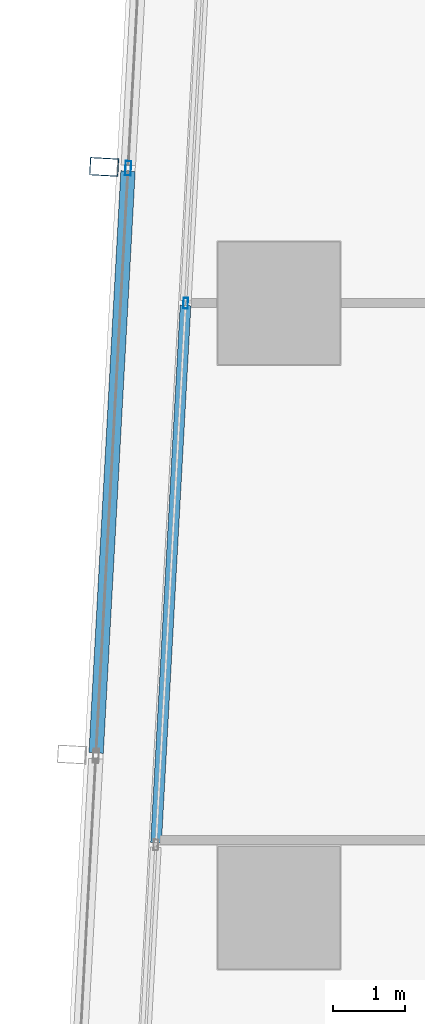
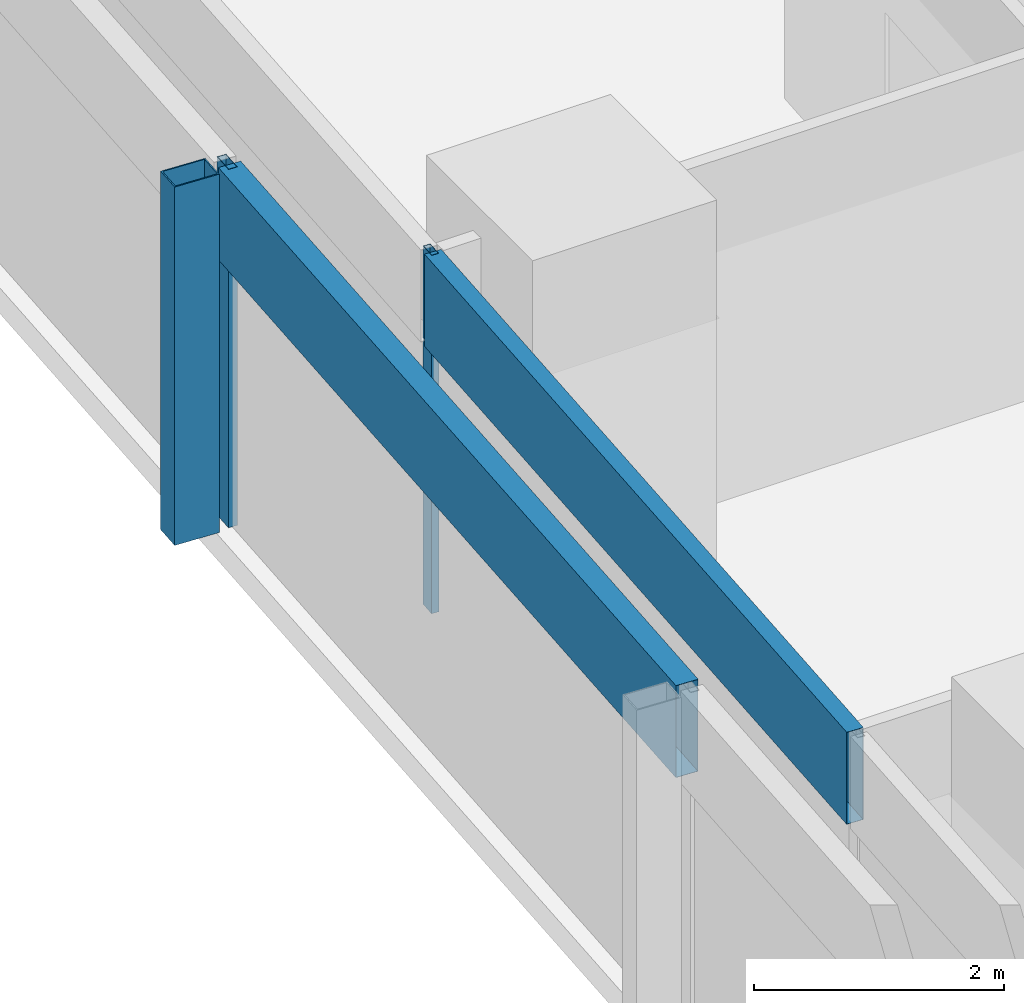
# One storey, part 14 of 40: 5 members, 2 elements without a shape of their own.
"""IFC4 building model written with IfcOpenShell, lengths in metres."""

import ifcopenshell
import ifcopenshell.guid

model = None  # the IFC model being written
_history = None  # IfcOwnerHistory: only IFC2X3 demands one
_inside = {}  # id of a spatial element -> (the spatial element, [elements in it])
_under = {}  # id of a project, library or spatial element -> (it, [spatial elements below it])
_declared = {}  # id of a project -> (the project, [libraries it declares])
_typed = {}  # id of a type object -> (the type object, [elements of that type])
_made_of = {}  # id of a material, layer set ... -> (it, [elements and type objects made of it])


def new_model(schema):
    """Start an empty IFC model of exactly this schema.

    Asked for "IFC4X3", IfcOpenShell would pick the latest addendum, in which some entities
    have other attributes; the version numbers below select the first issue.
    IFC2X3 requires an IfcOwnerHistory on every rooted entity: one is made here for all.
    """
    global model, _history
    if schema == "IFC4X3":
        model = ifcopenshell.file(schema_version=(4, 3, 0, 0))
    else:
        model = ifcopenshell.file(schema=schema)
    _inside.clear()
    _under.clear()
    _declared.clear()
    _typed.clear()
    _made_of.clear()
    _history = None
    if model.schema == "IFC2X3":
        org = make("IfcOrganization", Name="unknown")
        user = make(
            "IfcPersonAndOrganization",
            ThePerson=make("IfcPerson", FamilyName="unknown"),
            TheOrganization=org,
        )
        app = make(
            "IfcApplication",
            ApplicationDeveloper=org,
            Version="unknown",
            ApplicationFullName="unknown",
            ApplicationIdentifier="unknown",
        )
        _history = make(
            "IfcOwnerHistory",
            OwningUser=user,
            OwningApplication=app,
            ChangeAction="ADDED",
            CreationDate=0,
        )
    return model


def make(cls, **values):
    """One entity of the class cls with the attributes given. An attribute that is None is left unset."""
    return model.create_entity(
        cls, **{name: value for name, value in values.items() if value is not None}
    )


def rooted(cls, **values):
    """An entity with a GlobalId (a new one), such as an element, a storey or a relation."""
    return make(cls, GlobalId=ifcopenshell.guid.new(), OwnerHistory=_history, **values)


def si_unit(unit_type, name, prefix=None):
    """IfcSIUnit, for example si_unit("LENGTHUNIT", "METRE", prefix="MILLI")."""
    return make("IfcSIUnit", UnitType=unit_type, Prefix=prefix, Name=name)


def assignment(units):
    """IfcUnitAssignment: the units of a project."""
    return None if units is None else make("IfcUnitAssignment", Units=units)


def point(xyz):
    """IfcCartesianPoint."""
    return None if xyz is None else make("IfcCartesianPoint", Coordinates=xyz)


def direction(xyz):
    """IfcDirection."""
    return None if xyz is None else make("IfcDirection", DirectionRatios=xyz)


def frame(location, z_axis=None, x_axis=None):
    """IfcAxis2Placement3D, a coordinate frame: its origin and axes. An axis left out is left unset."""
    return make(
        "IfcAxis2Placement3D",
        Location=point(location),
        Axis=direction(z_axis),
        RefDirection=direction(x_axis),
    )


def frame_2d(location, x_axis=None):
    """IfcAxis2Placement2D, a coordinate frame in the plane: its origin and x axis."""
    return make(
        "IfcAxis2Placement2D", Location=point(location), RefDirection=direction(x_axis)
    )


def origin():
    """The frame at (0, 0, 0) with its axes left unset."""
    return frame((0.0, 0.0, 0.0))


def origin_2d():
    """The frame at (0, 0) in the plane with its x axis left unset."""
    return frame_2d((0.0, 0.0))


def place(relative_to, where):
    """IfcLocalPlacement: puts the frame where relative to a parent placement (None: the world)."""
    return make(
        "IfcLocalPlacement", PlacementRelTo=relative_to, RelativePlacement=where
    )


def context(
    kind, dimensions, precision=None, world=None, true_north=None, identifier=None
):
    """IfcGeometricRepresentationContext, for example the 3D "Model" context."""
    return make(
        "IfcGeometricRepresentationContext",
        ContextIdentifier=identifier,
        ContextType=kind,
        CoordinateSpaceDimension=dimensions,
        Precision=precision,
        WorldCoordinateSystem=world,
        TrueNorth=true_north,
    )


def subcontext(parent, identifier, kind, view, scale=None):
    """IfcGeometricRepresentationSubContext, for example "Body" below "Model"."""
    return make(
        "IfcGeometricRepresentationSubContext",
        ContextIdentifier=identifier,
        ContextType=kind,
        ParentContext=parent,
        TargetScale=scale,
        TargetView=view,
    )


def project(units=None, contexts=None):
    """IfcProject with its units and contexts."""
    return rooted(
        "IfcProject",
        Name="project",
        RepresentationContexts=contexts,
        UnitsInContext=assignment(units),
    )


def spatial(cls, under=None, at=None, **own):
    """A site, building, storey or space (cls), placed at a placement, below another one or the project."""
    s = rooted(cls, ObjectPlacement=at, **own)
    if under is not None:
        _under.setdefault(under.id(), (under, []))[1].append(s)
    return s


def profile(cls, at=None, kind="AREA", **sizes):
    """A parametric profile (cls). Its sizes go by their IFC names, for example OverallWidth=200.0."""
    return make(cls, ProfileType=kind, Position=at, **sizes)


def hollow_rectangle(**sizes):
    """IfcRectangleHollowProfileDef."""
    return profile("IfcRectangleHollowProfileDef", **sizes)


def extrude(swept, where, along, depth):
    """IfcExtrudedAreaSolid: the profile swept, set in the frame where, extruded along a direction by depth."""
    return make(
        "IfcExtrudedAreaSolid",
        SweptArea=swept,
        Position=where,
        ExtrudedDirection=direction(along),
        Depth=depth,
    )


def shape(context_of_items, identifier, shape_type, items):
    """IfcShapeRepresentation: the items that make up one representation, for example the "Body"."""
    return make(
        "IfcShapeRepresentation",
        ContextOfItems=context_of_items,
        RepresentationIdentifier=identifier,
        RepresentationType=shape_type,
        Items=items,
    )


def material(Name=None, Category=None):
    """IfcMaterial."""
    return make("IfcMaterial", Name=Name, Category=Category)


def material_profile(
    of_material, cross_section, Name=None, Category=None, Priority=None
):
    """IfcMaterialProfile: a cross section and its material."""
    return make(
        "IfcMaterialProfile",
        Name=Name,
        Material=of_material,
        Profile=cross_section,
        Priority=Priority,
        Category=Category,
    )


def profile_set(profiles, Name=None, composite=None):
    """IfcMaterialProfileSet."""
    return make(
        "IfcMaterialProfileSet",
        Name=Name,
        MaterialProfiles=profiles,
        CompositeProfile=composite,
    )


def made_of(thing, what):
    """Note that an element or type object is made of a material, layer set ...; save() writes the relation."""
    if what is not None:
        _made_of.setdefault(what.id(), (what, []))[1].append(thing)
    return thing


def type_object(cls, material=None, **own):
    """A type object (cls), such as IfcWallType, which elements share."""
    return made_of(rooted(cls, **own), material)


def element(
    cls,
    number,
    at=None,
    inside=None,
    cuts=None,
    type_object=None,
    material=None,
    context=None,
    identifier="Body",
    shape_type=None,
    held_by="IfcProductDefinitionShape",
    body=None,
    shapes=None,
    **own,
):
    """One element of the class cls, such as IfcWall. Its Tag is "e" and its number.

    at: its placement. inside: the storey or other place that contains it. cuts: it is an
    opening in that element (IfcRelVoidsElement). A single representation is given by context,
    identifier, shape_type and body (its items); several are given by shapes. held_by: the class
    of the entity that holds the representations. save() writes the other relations.
    """
    e = rooted(cls, Tag="e%d" % number, ObjectPlacement=at, **own)
    if body is not None:
        shapes = [shape(context, identifier, shape_type, body)]
    if shapes is not None:
        e.Representation = make(held_by, Representations=shapes)
    if inside is not None:
        _inside.setdefault(inside.id(), (inside, []))[1].append(e)
    if cuts is not None:
        rooted(
            "IfcRelVoidsElement", RelatingBuildingElement=cuts, RelatedOpeningElement=e
        )
    if type_object is not None:
        _typed.setdefault(type_object.id(), (type_object, []))[1].append(e)
    return made_of(e, material)


def aggregate(whole, parts):
    """IfcRelAggregates: a whole, such as a stair, and the parts it consists of."""
    return rooted("IfcRelAggregates", RelatingObject=whole, RelatedObjects=parts)


def save(model, path):
    """Write the relations noted so far, then the file.

    IfcRelAggregates (storeys below a building ...), IfcRelContainedInSpatialStructure (elements
    in a storey), IfcRelDefinesByType, IfcRelAssociatesMaterial and IfcRelDeclares: one each for
    every whole, place, type object, material and project.
    """
    for whole, parts in _under.values():
        aggregate(whole, parts)
    for where, things in _inside.values():
        rooted(
            "IfcRelContainedInSpatialStructure",
            RelatedElements=things,
            RelatingStructure=where,
        )
    for kind, things in _typed.values():
        rooted("IfcRelDefinesByType", RelatedObjects=things, RelatingType=kind)
    for what, things in _made_of.values():
        rooted("IfcRelAssociatesMaterial", RelatedObjects=things, RelatingMaterial=what)
    for by, libraries in _declared.values():
        rooted("IfcRelDeclares", RelatingContext=by, RelatedDefinitions=libraries)
    model.write(path)


model = new_model("IFC4")

# Units and contexts
model_context = context("Model", 3, precision=1e-05, world=origin(), true_north=direction((0.0, 1.0)))
body_context = subcontext(model_context, "Body", "Model", "MODEL_VIEW")
ifc_project = project(units=[si_unit("LENGTHUNIT", "METRE"), si_unit("AREAUNIT", "SQUARE_METRE"), si_unit("VOLUMEUNIT", "CUBIC_METRE"), si_unit("PLANEANGLEUNIT", "RADIAN"), si_unit("MASSUNIT", "GRAM", prefix="KILO")], contexts=[model_context])

# Site, building, storey
site_placement = place(None, origin())
site = spatial("IfcSite", under=ifc_project, at=site_placement, CompositionType="ELEMENT")
building_placement = place(site_placement, origin())
building = spatial("IfcBuilding", under=site, at=building_placement, Name="Rekha Terrace Tower", CompositionType="ELEMENT")
storey_placement = place(building_placement, frame((0.0, 0.0, 140.300048828125)))
storey = spatial("IfcBuildingStorey", under=building, at=storey_placement, Name="L35", CompositionType="ELEMENT", Elevation=140.300048828125)

# Curtain wall, member
ifc_material_1 = material(Name="Aluminium framing", Category="aluminium")
curtain_wall_type_1 = type_object("IfcCurtainWallType", Name="CW2 double skin outer glazing", PredefinedType="USERDEFINED", material=ifc_material_1)
curtain_wall_1_placement = place(storey_placement, origin())
curtain_wall_1 = element("IfcCurtainWall", 1, at=curtain_wall_1_placement, inside=storey, type_object=curtain_wall_type_1, Name="CW2 double skin outer glazing", ObjectType="DOUBLE SKIN OUTER GLAZING", PredefinedType="USERDEFINED")
ifc_material_2 = material(Name="Steel S355 with fluorocarbon finish", Category="steel")
ifc_material_profile_1 = material_profile(ifc_material_2, hollow_rectangle(XDim=0.25, YDim=0.39990234375, WallThickness=0.012451171875, at=origin_2d()), Name="RHS400x250x12.5")
ifc_profile_set_1 = profile_set([ifc_material_profile_1], Name="Steel S355 with fluorocarbon finish")
member_type_1 = type_object("IfcMemberType", Name="BL1 facade blade RHS 400 x 250", PredefinedType="USERDEFINED", material=ifc_profile_set_1)
member_1_placement = place(storey_placement, frame((5.969482421875, 52.29638671875, 0.0), z_axis=(0.0, 0.0, 1.0), x_axis=(-0.054742798353, -0.998500488747, 0.0)))
member_1 = element("IfcMember", 2, at=member_1_placement, type_object=member_type_1, Name="Facade blade", ObjectType="FACADE BLADE", PredefinedType="USERDEFINED", context=body_context, shape_type="SweptSolid", body=[
    extrude(hollow_rectangle(XDim=0.25, YDim=0.39990234375, WallThickness=0.012451171875, at=origin_2d()), origin(), (0.0, 0.0, 1.0), 3.5),
])

# Curtain wall, members
curtain_wall_type_2 = type_object("IfcCurtainWallType", Name="CW1 double skin inner glazing", PredefinedType="USERDEFINED", material=ifc_material_1)
curtain_wall_2_placement = place(storey_placement, origin())
curtain_wall_2 = element("IfcCurtainWall", 3, at=curtain_wall_2_placement, inside=storey, type_object=curtain_wall_type_2, Name="CW1 double skin inner glazing", ObjectType="DOUBLE SKIN INNER GLAZING", PredefinedType="USERDEFINED")
ifc_material_3 = material(Name="Aluminium mullion section", Category="aluminium")
ifc_material_profile_2 = material_profile(ifc_material_3, hollow_rectangle(XDim=0.06494140625, YDim=0.14990234375, WallThickness=0.00390625, at=origin_2d()), Name="AL RHS 65x150")
ifc_profile_set_2 = profile_set([ifc_material_profile_2], Name="Aluminium mullion section")
member_type_2 = type_object("IfcMemberType", Name="CW1 mullion RHS 65 x 150", PredefinedType="MULLION", material=ifc_profile_set_2)
member_2_placement = place(storey_placement, frame((7.1025390625, 50.40234375, 0.0), z_axis=(0.0, 0.0, 1.0), x_axis=(0.99850051318, -0.054742352707, 0.0)))
member_2 = element("IfcMember", 4, at=member_2_placement, type_object=member_type_2, Name="CW1 mullion 2", PredefinedType="MULLION", context=body_context, shape_type="SweptSolid", body=[
    extrude(hollow_rectangle(XDim=0.06494140625, YDim=0.14990234375, WallThickness=0.00390625, at=origin_2d()), origin(), (0.0, 0.0, 1.0), 3.5),
])
ifc_material_4 = material(Name="Insulated aluminium spandrel box", Category="aluminium")
ifc_material_profile_3 = material_profile(ifc_material_4, hollow_rectangle(XDim=0.14990234375, YDim=0.89990234375, WallThickness=0.0029296875, at=origin_2d()), Name="AL SPANDREL BOX 150x900")
ifc_profile_set_3 = profile_set([ifc_material_profile_3], Name="Insulated aluminium spandrel box")
member_type_3 = type_object("IfcMemberType", Name="CW1 spandrel transom 150 x 900", PredefinedType="USERDEFINED", material=ifc_profile_set_3)
member_3_placement = place(storey_placement, frame((7.100830078125, 50.369873046875, 3.050048828125), z_axis=(-0.054764629515, -0.998499291614, 0.0), x_axis=(0.998499291614, -0.054764629515, 0.0)))
member_3 = element("IfcMember", 5, at=member_3_placement, type_object=member_type_3, Name="CW1 spandrel transom 2", ObjectType="TRANSOM", PredefinedType="USERDEFINED", context=body_context, shape_type="SweptSolid", body=[
    extrude(hollow_rectangle(XDim=0.14990234375, YDim=0.89990234375, WallThickness=0.0029296875, at=origin_2d()), origin(), (0.0, 0.0, 1.0), 7.47607421875),
])
aggregate(curtain_wall_2, [member_2, member_3])

# Member
ifc_material_profile_4 = material_profile(ifc_material_3, hollow_rectangle(XDim=0.080078125, YDim=0.199951171875, WallThickness=0.00390625, at=origin_2d()), Name="AL RHS 80x200")
ifc_profile_set_4 = profile_set([ifc_material_profile_4], Name="Aluminium mullion section")
member_type_4 = type_object("IfcMemberType", Name="CW2 mullion RHS 80 x 200", PredefinedType="MULLION", material=ifc_profile_set_4)
member_4_placement = place(storey_placement, frame((6.303955078125, 52.278076171875, 0.0), z_axis=(0.0, 0.0, 1.0), x_axis=(0.99850051318, -0.054742352707, 0.0)))
member_4 = element("IfcMember", 6, at=member_4_placement, type_object=member_type_4, Name="CW2 mullion 2", PredefinedType="MULLION", context=body_context, shape_type="SweptSolid", body=[
    extrude(hollow_rectangle(XDim=0.080078125, YDim=0.199951171875, WallThickness=0.00390625, at=origin_2d()), origin(), (0.0, 0.0, 1.0), 3.5),
])

ifc_material_profile_5 = material_profile(ifc_material_4, hollow_rectangle(XDim=0.199951171875, YDim=0.89990234375, WallThickness=0.0029296875, at=origin_2d()), Name="AL SPANDREL BOX 200x900")
ifc_profile_set_5 = profile_set([ifc_material_profile_5], Name="Insulated aluminium spandrel box")
member_type_5 = type_object("IfcMemberType", Name="CW2 spandrel transom 200 x 900", PredefinedType="USERDEFINED", material=ifc_profile_set_5)
member_5_placement = place(storey_placement, frame((6.3017578125, 52.23828125, 3.050048828125), z_axis=(-0.054735499102, -0.998500888902, 0.0), x_axis=(0.998500888902, -0.054735499102, 0.0)))
member_5 = element("IfcMember", 7, at=member_5_placement, type_object=member_type_5, Name="CW2 spandrel transom 2", ObjectType="TRANSOM", PredefinedType="USERDEFINED", context=body_context, shape_type="SweptSolid", body=[
    extrude(hollow_rectangle(XDim=0.199951171875, YDim=0.89990234375, WallThickness=0.0029296875, at=origin_2d()), origin(), (0.0, 0.0, 1.0), 8.10009765625),
])

aggregate(curtain_wall_1, [member_4, member_5, member_1])

save(model, "model.ifc")
